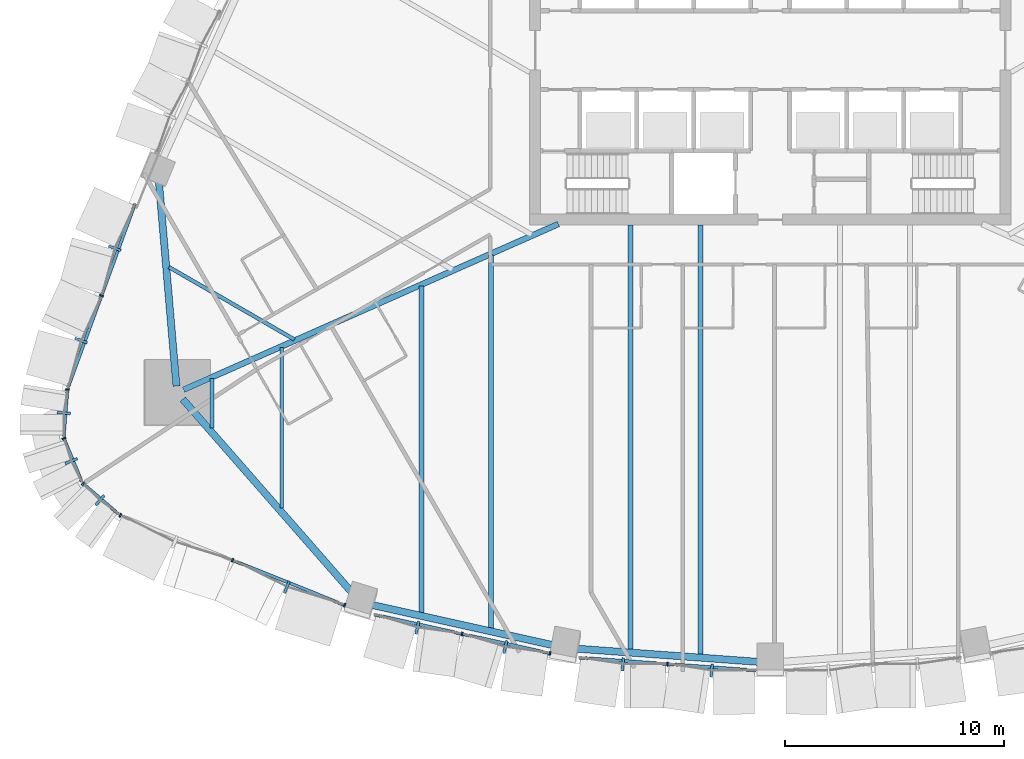
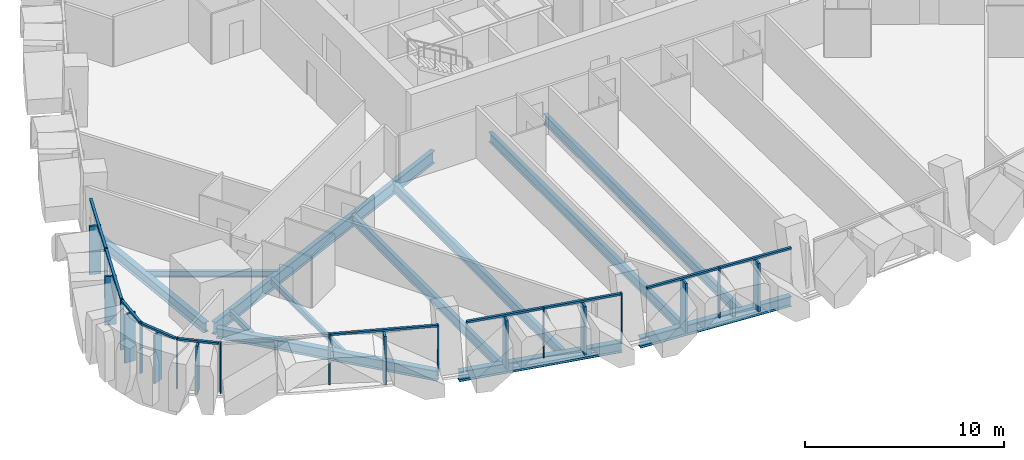
# One storey, part 2 of 23: 30 members, 12 beams, 7 elements without a shape of their own.
"""IFC4 building model written with IfcOpenShell, lengths in metres."""

from ifc_helpers import new_model, si_unit, direction, frame, origin, origin_2d, place, context, subcontext, project, spatial, rectangle, i_section, extrude, material, layer, layer_set, material_profile, profile_set, type_object, element, aggregate, save


model = new_model("IFC4")

# Units and contexts
model_context = context("Model", 3, precision=1e-05, world=origin(), true_north=direction((0.0, 1.0)))
body_context = subcontext(model_context, "Body", "Model", "MODEL_VIEW")
ifc_project = project(units=[si_unit("LENGTHUNIT", "METRE"), si_unit("AREAUNIT", "SQUARE_METRE"), si_unit("VOLUMEUNIT", "CUBIC_METRE"), si_unit("PLANEANGLEUNIT", "RADIAN"), si_unit("MASSUNIT", "GRAM", prefix="KILO")], contexts=[model_context])

# Site, building, storey
site_placement = place(None, origin())
site = spatial("IfcSite", under=ifc_project, at=site_placement, CompositionType="ELEMENT")
building_placement = place(site_placement, origin())
building = spatial("IfcBuilding", under=site, at=building_placement, Name="Sierra Prisma Convention Tower", CompositionType="ELEMENT")
storey_placement = place(building_placement, frame((0.0, 0.0, 51.699951171875)))
storey = spatial("IfcBuildingStorey", under=building, at=storey_placement, Name="L08", CompositionType="ELEMENT", Elevation=51.699951171875)

# Curtain wall, member
ifc_material_1 = material(Name="Aluminium and glass curtain wall", Category="aluminium")
ifc_layer = layer(ifc_material_1, 0.179931640625)
ifc_layer_set = layer_set([ifc_layer], Name="CW-2 Faceted crystal curtain wall")
curtain_wall_type = type_object("IfcCurtainWallType", Name="CW-2 Faceted crystal curtain wall", PredefinedType="NOTDEFINED", material=ifc_layer_set)
curtain_wall_1_placement = place(storey_placement, origin())
curtain_wall_1 = element("IfcCurtainWall", 1, at=curtain_wall_1_placement, inside=storey, type_object=curtain_wall_type, Name="CW-2 S1 L08", PredefinedType="NOTDEFINED")
ifc_material_2 = material(Name="Aluminium 6063-T6 bronze anodised", Category="aluminium")
ifc_material_profile_1 = material_profile(ifc_material_2, rectangle(XDim=0.1201171875, YDim=0.60009765625, at=origin_2d()), Name="ALU RIDGE BLADE 120x600")
ifc_profile_set_1 = profile_set([ifc_material_profile_1], Name="Aluminium 6063-T6 bronze anodised")
member_type_1 = type_object("IfcMemberType", Name="CW hip bronze", PredefinedType="MULLION", material=ifc_profile_set_1)
member_1_placement = place(storey_placement, frame((-22.10546875, -24.55419921875, 0.0), z_axis=(0.0, 0.0, 1.0), x_axis=(0.928218469403, -0.372035580367, 0.0)))
member_1 = element("IfcMember", 2, at=member_1_placement, type_object=member_type_1, Name="CW-2 ridge S1.2", PredefinedType="MULLION", context=body_context, shape_type="SweptSolid", body=[
    extrude(rectangle(XDim=0.1201171875, YDim=0.60009765625, at=origin_2d()), origin(), (0.0, 0.0, 1.0), 2.97998046875),
])

# Curtain wall, members
curtain_wall_2_placement = place(storey_placement, origin())
curtain_wall_2 = element("IfcCurtainWall", 3, at=curtain_wall_2_placement, inside=storey, type_object=curtain_wall_type, Name="CW-2 S2 L08", PredefinedType="NOTDEFINED")
member_2_placement = place(storey_placement, frame((-16.13427734375, -26.41162109375, 0.0), z_axis=(0.0, 0.0, 1.0), x_axis=(0.976517484103, -0.215438165701, 0.0)))
member_2 = element("IfcMember", 4, at=member_2_placement, type_object=member_type_1, Name="CW-2 ridge S2.1", PredefinedType="MULLION", context=body_context, shape_type="SweptSolid", body=[
    extrude(rectangle(XDim=0.1201171875, YDim=0.60009765625, at=origin_2d()), origin(), (0.0, 0.0, 1.0), 2.97998046875),
])
member_3_placement = place(storey_placement, frame((-12.114013671875, -27.298583984375, 0.0), z_axis=(0.0, 0.0, 1.0), x_axis=(0.976517484103, -0.215438165701, 0.0)))
member_3 = element("IfcMember", 5, at=member_3_placement, type_object=member_type_1, Name="CW-2 ridge S2.2", PredefinedType="MULLION", context=body_context, shape_type="SweptSolid", body=[
    extrude(rectangle(XDim=0.1201171875, YDim=0.60009765625, at=origin_2d()), origin(), (0.0, 0.0, 1.0), 2.97998046875),
])

curtain_wall_3_placement = place(storey_placement, origin())
curtain_wall_3 = element("IfcCurtainWall", 6, at=curtain_wall_3_placement, inside=storey, type_object=curtain_wall_type, Name="CW-2 S3 L08", PredefinedType="NOTDEFINED")
member_4_placement = place(storey_placement, frame((-6.733642578125, -28.08642578125, 0.0), z_axis=(0.0, 0.0, 1.0), x_axis=(0.997411104525, -0.071910281389, 0.0)))
member_4 = element("IfcMember", 7, at=member_4_placement, type_object=member_type_1, Name="CW-2 ridge S3.1", PredefinedType="MULLION", context=body_context, shape_type="SweptSolid", body=[
    extrude(rectangle(XDim=0.1201171875, YDim=0.60009765625, at=origin_2d()), origin(), (0.0, 0.0, 1.0), 2.97998046875),
])
member_5_placement = place(storey_placement, frame((-2.67431640625, -28.37890625, 0.0), z_axis=(0.0, 0.0, 1.0), x_axis=(0.997411104525, -0.071910281389, 0.0)))
member_5 = element("IfcMember", 8, at=member_5_placement, type_object=member_type_1, Name="CW-2 ridge S3.2", PredefinedType="MULLION", context=body_context, shape_type="SweptSolid", body=[
    extrude(rectangle(XDim=0.1201171875, YDim=0.60009765625, at=origin_2d()), origin(), (0.0, 0.0, 1.0), 2.97998046875),
])

curtain_wall_4_placement = place(storey_placement, origin())
curtain_wall_4 = element("IfcCurtainWall", 9, at=curtain_wall_4_placement, inside=storey, type_object=curtain_wall_type, Name="CW-2 NW6 L08", PredefinedType="NOTDEFINED")
member_6_placement = place(storey_placement, frame((-29.976806640625, -9.059326171875, 0.0), z_axis=(0.0, 0.0, 1.0), x_axis=(-0.342675826115, -0.939453712642, 0.0)))
member_6 = element("IfcMember", 10, at=member_6_placement, type_object=member_type_1, Name="CW-2 ridge NW6.1", PredefinedType="MULLION", context=body_context, shape_type="SweptSolid", body=[
    extrude(rectangle(XDim=0.1201171875, YDim=0.60009765625, at=origin_2d()), origin(), (0.0, 0.0, 1.0), 2.97998046875),
])
member_7_placement = place(storey_placement, frame((-31.516357421875, -13.280029296875, 0.0), z_axis=(0.0, 0.0, 1.0), x_axis=(-0.342675826115, -0.939453712642, 0.0)))
member_7 = element("IfcMember", 11, at=member_7_placement, type_object=member_type_1, Name="CW-2 ridge NW6.2", PredefinedType="MULLION", context=body_context, shape_type="SweptSolid", body=[
    extrude(rectangle(XDim=0.1201171875, YDim=0.60009765625, at=origin_2d()), origin(), (0.0, 0.0, 1.0), 2.97998046875),
])

# Curtain wall, member
curtain_wall_5_placement = place(storey_placement, origin())
curtain_wall_5 = element("IfcCurtainWall", 12, at=curtain_wall_5_placement, inside=storey, type_object=curtain_wall_type, Name="CW-2 SW1 L08", PredefinedType="NOTDEFINED")
member_8_placement = place(storey_placement, frame((-32.30712890625, -16.595703125, 0.0), z_axis=(0.0, 0.0, 1.0), x_axis=(-0.080124646762, -0.996784851902, 0.0)))
member_8 = element("IfcMember", 13, at=member_8_placement, type_object=member_type_1, Name="CW-2 ridge SW1.1", PredefinedType="MULLION", context=body_context, shape_type="SweptSolid", body=[
    extrude(rectangle(XDim=0.1201171875, YDim=0.60009765625, at=origin_2d()), origin(), (0.0, 0.0, 1.0), 2.97998046875),
])

curtain_wall_6_placement = place(storey_placement, origin())
curtain_wall_6 = element("IfcCurtainWall", 14, at=curtain_wall_6_placement, inside=storey, type_object=curtain_wall_type, Name="CW-2 SW2 L08", PredefinedType="NOTDEFINED")
member_9_placement = place(storey_placement, frame((-31.962890625, -18.79150390625, 0.0), z_axis=(0.0, 0.0, 1.0), x_axis=(0.381451296407, -0.924388937877, 0.0)))
member_9 = element("IfcMember", 15, at=member_9_placement, type_object=member_type_1, Name="CW-2 ridge SW2.1", PredefinedType="MULLION", context=body_context, shape_type="SweptSolid", body=[
    extrude(rectangle(XDim=0.1201171875, YDim=0.60009765625, at=origin_2d()), origin(), (0.0, 0.0, 1.0), 2.97998046875),
])

curtain_wall_7_placement = place(storey_placement, origin())
curtain_wall_7 = element("IfcCurtainWall", 16, at=curtain_wall_7_placement, inside=storey, type_object=curtain_wall_type, Name="CW-2 SW3 L08", PredefinedType="NOTDEFINED")
member_10_placement = place(storey_placement, frame((-30.658447265625, -20.591064453125, 0.0), z_axis=(0.0, 0.0, 1.0), x_axis=(0.759758893497, -0.650204909049, 0.0)))
member_10 = element("IfcMember", 17, at=member_10_placement, type_object=member_type_1, Name="CW-2 ridge SW3.1", PredefinedType="MULLION", context=body_context, shape_type="SweptSolid", body=[
    extrude(rectangle(XDim=0.1201171875, YDim=0.60009765625, at=origin_2d()), origin(), (0.0, 0.0, 1.0), 2.97998046875),
])

# Member
ifc_material_3 = material(Name="Aluminium 6063-T6 bronze anodised", Category="aluminium")
ifc_material_profile_2 = material_profile(ifc_material_3, rectangle(XDim=0.179931640625, YDim=0.070068359375, at=origin_2d()), Name="ALU MULLION 70x180")
ifc_profile_set_2 = profile_set([ifc_material_profile_2], Name="Aluminium 6063-T6 bronze anodised")
member_type_2 = type_object("IfcMemberType", Name="CW mullion bronze", PredefinedType="MULLION", material=ifc_profile_set_2)
member_11_placement = place(storey_placement, frame((-29.718994140625, -21.271240234375, 0.0), z_axis=(0.0, 0.0, 1.0), x_axis=(0.372035580367, 0.928218469403, 0.0)))
member_11 = element("IfcMember", 18, at=member_11_placement, type_object=member_type_2, Name="CW-1 mullion S1.1", PredefinedType="MULLION", context=body_context, shape_type="SweptSolid", body=[
    extrude(rectangle(XDim=0.179931640625, YDim=0.070068359375, at=origin_2d()), origin(), (0.0, 0.0, 1.0), 3.10009765625),
])

member_12_placement = place(storey_placement, frame((-24.590087890625, -23.3271484375, 0.0), z_axis=(0.0, 0.0, 1.0), x_axis=(0.372035580367, 0.928218469403, 0.0)))
member_12 = element("IfcMember", 19, at=member_12_placement, type_object=member_type_2, Name="CW-1 mullion S1.2", PredefinedType="MULLION", context=body_context, shape_type="SweptSolid", body=[
    extrude(rectangle(XDim=0.179931640625, YDim=0.070068359375, at=origin_2d()), origin(), (0.0, 0.0, 1.0), 3.10009765625),
])

member_13_placement = place(storey_placement, frame((-19.461181640625, -25.3828125, 0.0), z_axis=(0.0, 0.0, 1.0), x_axis=(0.372035580367, 0.928218469403, 0.0)))
member_13 = element("IfcMember", 20, at=member_13_placement, type_object=member_type_2, Name="CW-1 mullion S1.3", PredefinedType="MULLION", context=body_context, shape_type="SweptSolid", body=[
    extrude(rectangle(XDim=0.179931640625, YDim=0.070068359375, at=origin_2d()), origin(), (0.0, 0.0, 1.0), 3.10009765625),
])

member_14_placement = place(storey_placement, frame((-14.08984375, -26.699462890625, 0.0), z_axis=(0.0, 0.0, 1.0), x_axis=(0.215438165701, 0.976517484103, 0.0)))
member_14 = element("IfcMember", 21, at=member_14_placement, type_object=member_type_2, Name="CW-1 mullion S2.2", PredefinedType="MULLION", context=body_context, shape_type="SweptSolid", body=[
    extrude(rectangle(XDim=0.179931640625, YDim=0.070068359375, at=origin_2d()), origin(), (0.0, 0.0, 1.0), 3.10009765625),
])

member_15_placement = place(storey_placement, frame((-10.069580078125, -27.58642578125, 0.0), z_axis=(0.0, 0.0, 1.0), x_axis=(0.215438165701, 0.976517484103, 0.0)))
member_15 = element("IfcMember", 22, at=member_15_placement, type_object=member_type_2, Name="CW-1 mullion S2.3", PredefinedType="MULLION", context=body_context, shape_type="SweptSolid", body=[
    extrude(rectangle(XDim=0.179931640625, YDim=0.070068359375, at=origin_2d()), origin(), (0.0, 0.0, 1.0), 3.10009765625),
])

member_16_placement = place(storey_placement, frame((-4.692626953125, -28.07568359375, 0.0), z_axis=(0.0, 0.0, 1.0), x_axis=(0.071910281389, 0.997411104525, 0.0)))
member_16 = element("IfcMember", 23, at=member_16_placement, type_object=member_type_2, Name="CW-1 mullion S3.2", PredefinedType="MULLION", context=body_context, shape_type="SweptSolid", body=[
    extrude(rectangle(XDim=0.179931640625, YDim=0.070068359375, at=origin_2d()), origin(), (0.0, 0.0, 1.0), 3.10009765625),
])

member_17_placement = place(storey_placement, frame((-30.5830078125, -11.2294921875, 0.0), z_axis=(0.0, 0.0, 1.0), x_axis=(0.939453712642, -0.342675826115, 0.0)))
member_17 = element("IfcMember", 24, at=member_17_placement, type_object=member_type_2, Name="CW-1 mullion NW6.2", PredefinedType="MULLION", context=body_context, shape_type="SweptSolid", body=[
    extrude(rectangle(XDim=0.179931640625, YDim=0.070068359375, at=origin_2d()), origin(), (0.0, 0.0, 1.0), 3.10009765625),
])

member_18_placement = place(storey_placement, frame((-32.137451171875, -15.517822265625, 0.0), z_axis=(0.0, 0.0, 1.0), x_axis=(0.996784851902, -0.080124646762, 0.0)))
member_18 = element("IfcMember", 25, at=member_18_placement, type_object=member_type_2, Name="CW-1 mullion SW1.1", PredefinedType="MULLION", context=body_context, shape_type="SweptSolid", body=[
    extrude(rectangle(XDim=0.179931640625, YDim=0.070068359375, at=origin_2d()), origin(), (0.0, 0.0, 1.0), 3.10009765625),
])

member_19_placement = place(storey_placement, frame((-32.30126953125, -17.754150390625, 0.0), z_axis=(0.0, 0.0, 1.0), x_axis=(0.924388937877, 0.381451296407, 0.0)))
member_19 = element("IfcMember", 26, at=member_19_placement, type_object=member_type_2, Name="CW-1 mullion SW2.1", PredefinedType="MULLION", context=body_context, shape_type="SweptSolid", body=[
    extrude(rectangle(XDim=0.179931640625, YDim=0.070068359375, at=origin_2d()), origin(), (0.0, 0.0, 1.0), 3.10009765625),
])

member_20_placement = place(storey_placement, frame((-31.431396484375, -19.82080078125, 0.0), z_axis=(0.0, 0.0, 1.0), x_axis=(0.650204909049, 0.759758893497, 0.0)))
member_20 = element("IfcMember", 27, at=member_20_placement, type_object=member_type_2, Name="CW-1 mullion SW3.1", PredefinedType="MULLION", context=body_context, shape_type="SweptSolid", body=[
    extrude(rectangle(XDim=0.179931640625, YDim=0.070068359375, at=origin_2d()), origin(), (0.0, 0.0, 1.0), 3.10009765625),
])

ifc_material_4 = material(Name="Aluminium 6063-T6 bronze anodised", Category="aluminium")
ifc_material_profile_3 = material_profile(ifc_material_4, rectangle(XDim=0.139892578125, YDim=0.1201171875, at=origin_2d()), Name="ALU TRANSOM 120x140")
ifc_profile_set_3 = profile_set([ifc_material_profile_3], Name="Aluminium 6063-T6 bronze anodised")
member_type_3 = type_object("IfcMemberType", Name="CW transom bronze", PredefinedType="USERDEFINED", material=ifc_profile_set_3)
member_21_placement = place(storey_placement, frame((-24.5576171875, -23.340087890625, 3.0400390625), z_axis=(0.928226491865, -0.372015563922, 0.0), x_axis=(0.372015563922, 0.928226491865, 0.0)))
member_21 = element("IfcMember", 28, at=member_21_placement, type_object=member_type_3, Name="CW-1 transom S1.2", ObjectType="TRANSOM", PredefinedType="USERDEFINED", context=body_context, shape_type="SweptSolid", body=[
    extrude(rectangle(XDim=0.139892578125, YDim=0.1201171875, at=origin_2d()), origin(), (0.0, 0.0, 1.0), 5.45556640625),
])

aggregate(curtain_wall_1, [member_11, member_12, member_13, member_21, member_1])

member_22_placement = place(storey_placement, frame((-18.075927734375, -25.820068359375, 3.0400390625), z_axis=(0.976519481055, -0.215429113909, 0.0), x_axis=(0.215429113909, 0.976519481055, 0.0)))
member_22 = element("IfcMember", 29, at=member_22_placement, type_object=member_type_3, Name="CW-1 transom S2.1", ObjectType="TRANSOM", PredefinedType="USERDEFINED", context=body_context, shape_type="SweptSolid", body=[
    extrude(rectangle(XDim=0.139892578125, YDim=0.1201171875, at=origin_2d()), origin(), (0.0, 0.0, 1.0), 4.046875),
])

member_23_placement = place(storey_placement, frame((-14.0556640625, -26.70703125, 3.0400390625), z_axis=(0.976519481055, -0.215429113909, 0.0), x_axis=(0.215429113909, 0.976519481055, 0.0)))
member_23 = element("IfcMember", 30, at=member_23_placement, type_object=member_type_3, Name="CW-1 transom S2.2", ObjectType="TRANSOM", PredefinedType="USERDEFINED", context=body_context, shape_type="SweptSolid", body=[
    extrude(rectangle(XDim=0.139892578125, YDim=0.1201171875, at=origin_2d()), origin(), (0.0, 0.0, 1.0), 4.046875),
])

aggregate(curtain_wall_2, [member_14, member_15, member_22, member_2, member_23, member_3])

member_24_placement = place(storey_placement, frame((-8.717041015625, -27.78564453125, 3.0400390625), z_axis=(0.997411699787, -0.0719020245, 0.0), x_axis=(0.0719020245, 0.997411699787, 0.0)))
member_24 = element("IfcMember", 31, at=member_24_placement, type_object=member_type_3, Name="CW-1 transom S3.1", ObjectType="TRANSOM", PredefinedType="USERDEFINED", context=body_context, shape_type="SweptSolid", body=[
    extrude(rectangle(XDim=0.139892578125, YDim=0.1201171875, at=origin_2d()), origin(), (0.0, 0.0, 1.0), 3.999755859375),
])

member_25_placement = place(storey_placement, frame((-4.65771484375, -28.078125, 3.0400390625), z_axis=(0.997411699787, -0.0719020245, 0.0), x_axis=(0.0719020245, 0.997411699787, 0.0)))
member_25 = element("IfcMember", 32, at=member_25_placement, type_object=member_type_3, Name="CW-1 transom S3.2", ObjectType="TRANSOM", PredefinedType="USERDEFINED", context=body_context, shape_type="SweptSolid", body=[
    extrude(rectangle(XDim=0.139892578125, YDim=0.1201171875, at=origin_2d()), origin(), (0.0, 0.0, 1.0), 3.999755859375),
])

aggregate(curtain_wall_3, [member_16, member_24, member_4, member_25, member_5])

member_26_placement = place(storey_placement, frame((-29.055419921875, -7.04150390625, 3.0400390625), z_axis=(-0.342682503518, -0.939451276961, 0.0), x_axis=(0.939451276961, -0.342682503518, 0.0)))
member_26 = element("IfcMember", 33, at=member_26_placement, type_object=member_type_3, Name="CW-1 transom NW6.1", ObjectType="TRANSOM", PredefinedType="USERDEFINED", context=body_context, shape_type="SweptSolid", body=[
    extrude(rectangle(XDim=0.139892578125, YDim=0.1201171875, at=origin_2d()), origin(), (0.0, 0.0, 1.0), 4.4228515625),
])

member_27_placement = place(storey_placement, frame((-30.59521484375, -11.26220703125, 3.0400390625), z_axis=(-0.342633784215, -0.93946904681, 0.0), x_axis=(0.93946904681, -0.342633784215, 0.0)))
member_27 = element("IfcMember", 34, at=member_27_placement, type_object=member_type_3, Name="CW-1 transom NW6.2", ObjectType="TRANSOM", PredefinedType="USERDEFINED", context=body_context, shape_type="SweptSolid", body=[
    extrude(rectangle(XDim=0.139892578125, YDim=0.1201171875, at=origin_2d()), origin(), (0.0, 0.0, 1.0), 4.4228515625),
])

aggregate(curtain_wall_4, [member_17, member_26, member_6, member_27, member_7])

member_28_placement = place(storey_placement, frame((-32.140380859375, -15.552734375, 3.0400390625), z_axis=(-0.080099977058, -0.996786834622, 0.0), x_axis=(0.996786834622, -0.080099977058, 0.0)))
member_28 = element("IfcMember", 35, at=member_28_placement, type_object=member_type_3, Name="CW-1 transom SW1.1", ObjectType="TRANSOM", PredefinedType="USERDEFINED", context=body_context, shape_type="SweptSolid", body=[
    extrude(rectangle(XDim=0.139892578125, YDim=0.1201171875, at=origin_2d()), origin(), (0.0, 0.0, 1.0), 2.106201171875),
])

aggregate(curtain_wall_5, [member_18, member_28, member_8])

member_29_placement = place(storey_placement, frame((-32.287841796875, -17.786376953125, 3.0400390625), z_axis=(0.381402747866, -0.924408970056, 0.0), x_axis=(0.924408970056, 0.381402747866, 0.0)))
member_29 = element("IfcMember", 36, at=member_29_placement, type_object=member_type_3, Name="CW-1 transom SW2.1", ObjectType="TRANSOM", PredefinedType="USERDEFINED", context=body_context, shape_type="SweptSolid", body=[
    extrude(rectangle(XDim=0.139892578125, YDim=0.1201171875, at=origin_2d()), origin(), (0.0, 0.0, 1.0), 2.10595703125),
])

aggregate(curtain_wall_6, [member_19, member_29, member_9])

member_30_placement = place(storey_placement, frame((-31.40478515625, -19.843505859375, 3.0400390625), z_axis=(0.759755527336, -0.65020884236, 0.0), x_axis=(0.65020884236, 0.759755527336, 0.0)))
member_30 = element("IfcMember", 37, at=member_30_placement, type_object=member_type_3, Name="CW-1 transom SW3.1", ObjectType="TRANSOM", PredefinedType="USERDEFINED", context=body_context, shape_type="SweptSolid", body=[
    extrude(rectangle(XDim=0.139892578125, YDim=0.1201171875, at=origin_2d()), origin(), (0.0, 0.0, 1.0), 2.10595703125),
])

aggregate(curtain_wall_7, [member_20, member_30, member_10])

# Beams
ifc_material_5 = material(Name="Steel ASTM A992 Gr 50", Category="steel")
ifc_material_profile_4 = material_profile(ifc_material_5, i_section(OverallWidth=0.172119140625, OverallDepth=0.35791015625, WebThickness=0.0078125, FlangeThickness=0.01318359375, at=origin_2d()), Name="W360x57")
ifc_profile_set_4 = profile_set([ifc_material_profile_4], Name="Steel ASTM A992 Gr 50")
beam_type_1 = type_object("IfcBeamType", Name="Floor joist W360x57", PredefinedType="JOIST", material=ifc_profile_set_4)
beam_1_placement = place(storey_placement, frame((-25.53271484375, -17.2890625, -0.328857421875), z_axis=(0.0, 1.0, 0.0), x_axis=(-1.0, 0.0, 0.0)))
element("IfcBeam", 38, at=beam_1_placement, inside=storey, type_object=beam_type_1, Name="Floor joist L08 S01", PredefinedType="JOIST", context=body_context, shape_type="SweptSolid", body=[
    extrude(i_section(OverallWidth=0.172119140625, OverallDepth=0.35791015625, WebThickness=0.0078125, FlangeThickness=0.01318359375, at=origin_2d()), origin(), (0.0, 0.0, 1.0), 2.274169921875),
])
beam_2_placement = place(storey_placement, frame((-22.341064453125, -20.935546875, -0.328857421875), z_axis=(0.0, 1.0, 0.0), x_axis=(-1.0, 0.0, 0.0)))
element("IfcBeam", 39, at=beam_2_placement, inside=storey, type_object=beam_type_1, Name="Floor joist L08 S02", PredefinedType="JOIST", context=body_context, shape_type="SweptSolid", body=[
    extrude(i_section(OverallWidth=0.172119140625, OverallDepth=0.35791015625, WebThickness=0.0078125, FlangeThickness=0.01318359375, at=origin_2d()), origin(), (0.0, 0.0, 1.0), 7.331787109375),
])
beam_3_placement = place(storey_placement, frame((-27.499755859375, -9.92041015625, -0.328857421875), z_axis=(0.866032137748, -0.499988336251, 0.0), x_axis=(0.499988336251, 0.866032137748, 0.0)))
element("IfcBeam", 40, at=beam_3_placement, inside=storey, type_object=beam_type_1, Name="Floor joist L08 NW16", PredefinedType="JOIST", context=body_context, shape_type="SweptSolid", body=[
    extrude(i_section(OverallWidth=0.172119140625, OverallDepth=0.35791015625, WebThickness=0.0078125, FlangeThickness=0.01318359375, at=origin_2d()), origin(), (0.0, 0.0, 1.0), 6.623779296875),
])
ifc_material_6 = material(Name="Steel ASTM A992 Gr 50", Category="steel")
ifc_material_profile_5 = material_profile(ifc_material_6, i_section(OverallWidth=0.22802734375, OverallDepth=0.60302734375, WebThickness=0.010498046875, FlangeThickness=0.014892578125, at=origin_2d()), Name="W610x101")
ifc_profile_set_5 = profile_set([ifc_material_profile_5], Name="Steel ASTM A992 Gr 50")
beam_type_2 = type_object("IfcBeamType", Name="Floor joist W610x101", PredefinedType="JOIST", material=ifc_profile_set_5)
beam_4_placement = place(storey_placement, frame((-15.9580078125, -25.757080078125, -0.451416015625), z_axis=(0.0, 1.0, 0.0), x_axis=(-1.0, 0.0, 0.0)))
element("IfcBeam", 41, at=beam_4_placement, inside=storey, type_object=beam_type_2, Name="Floor joist L08 S04", PredefinedType="JOIST", context=body_context, shape_type="SweptSolid", body=[
    extrude(i_section(OverallWidth=0.22802734375, OverallDepth=0.60302734375, WebThickness=0.010498046875, FlangeThickness=0.014892578125, at=origin_2d()), origin(), (0.0, 0.0, 1.0), 14.97607421875),
])
beam_5_placement = place(storey_placement, frame((-12.766357421875, -26.4658203125, -0.451416015625), z_axis=(0.0, 1.0, 0.0), x_axis=(-1.0, 0.0, 0.0)))
element("IfcBeam", 42, at=beam_5_placement, inside=storey, type_object=beam_type_2, Name="Floor joist L08 S05", PredefinedType="JOIST", context=body_context, shape_type="SweptSolid", body=[
    extrude(i_section(OverallWidth=0.22802734375, OverallDepth=0.60302734375, WebThickness=0.010498046875, FlangeThickness=0.014892578125, at=origin_2d()), origin(), (0.0, 0.0, 1.0), 17.09619140625),
])
beam_6_placement = place(storey_placement, frame((-6.38330078125, -27.43798828125, -0.451416015625), z_axis=(0.0, 1.0, 0.0), x_axis=(-1.0, 0.0, 0.0)))
element("IfcBeam", 43, at=beam_6_placement, inside=storey, type_object=beam_type_2, Name="Floor joist L08 S07", PredefinedType="JOIST", context=body_context, shape_type="SweptSolid", body=[
    extrude(i_section(OverallWidth=0.22802734375, OverallDepth=0.60302734375, WebThickness=0.010498046875, FlangeThickness=0.014892578125, at=origin_2d()), origin(), (0.0, 0.0, 1.0), 19.43798828125),
])
beam_7_placement = place(storey_placement, frame((-3.191650390625, -27.66943359375, -0.451416015625), z_axis=(0.0, 1.0, 0.0), x_axis=(-1.0, 0.0, 0.0)))
element("IfcBeam", 44, at=beam_7_placement, inside=storey, type_object=beam_type_2, Name="Floor joist L08 S08", PredefinedType="JOIST", context=body_context, shape_type="SweptSolid", body=[
    extrude(i_section(OverallWidth=0.22802734375, OverallDepth=0.60302734375, WebThickness=0.010498046875, FlangeThickness=0.014892578125, at=origin_2d()), origin(), (0.0, 0.0, 1.0), 19.66943359375),
])
ifc_material_7 = material(Name="Steel ASTM A992 Gr 50", Category="steel")
ifc_material_profile_6 = material_profile(ifc_material_7, i_section(OverallWidth=0.264892578125, OverallDepth=0.7529296875, WebThickness=0.01318359375, FlangeThickness=0.01708984375, at=origin_2d()), Name="W760x147")
ifc_profile_set_6 = profile_set([ifc_material_profile_6], Name="Steel ASTM A992 Gr 50")
beam_type_3 = type_object("IfcBeamType", Name="Radial girder W760x147", PredefinedType="BEAM", material=ifc_profile_set_6)
beam_8_placement = place(storey_placement, frame((-26.82861328125, -15.530029296875, -0.5263671875), z_axis=(0.914571759217, 0.404423660588, 0.0), x_axis=(-0.404423660588, 0.914571759217, 0.0)))
element("IfcBeam", 45, at=beam_8_placement, inside=storey, type_object=beam_type_3, Name="Radial girder L08 SW", PredefinedType="BEAM", context=body_context, shape_type="SweptSolid", body=[
    extrude(i_section(OverallWidth=0.264892578125, OverallDepth=0.7529296875, WebThickness=0.01318359375, FlangeThickness=0.01708984375, at=origin_2d()), origin(), (0.0, 0.0, 1.0), 18.7392578125),
])
ifc_material_8 = material(Name="Steel ASTM A992 Gr 50", Category="steel")
ifc_material_profile_7 = material_profile(ifc_material_8, i_section(OverallWidth=0.324951171875, OverallDepth=0.615966796875, WebThickness=0.013916015625, FlangeThickness=0.021484375, at=origin_2d()), Name="W610x174")
ifc_profile_set_7 = profile_set([ifc_material_profile_7], Name="Steel ASTM A992 Gr 50")
beam_type_4 = type_object("IfcBeamType", Name="Spandrel beam W610x174", PredefinedType="BEAM", material=ifc_profile_set_7)
beam_9_placement = place(storey_placement, frame((-26.865966796875, -15.962646484375, -0.4580078125), z_axis=(0.65860744044, -0.752486703801, 0.0), x_axis=(0.752486703801, 0.65860744044, 0.0)))
element("IfcBeam", 46, at=beam_9_placement, inside=storey, type_object=beam_type_4, Name="Spandrel L08-01", PredefinedType="BEAM", context=body_context, shape_type="SweptSolid", body=[
    extrude(i_section(OverallWidth=0.324951171875, OverallDepth=0.615966796875, WebThickness=0.013916015625, FlangeThickness=0.021484375, at=origin_2d()), origin(), (0.0, 0.0, 1.0), 11.76513671875),
])
beam_10_placement = place(storey_placement, frame((-18.260009765625, -25.362548828125, -0.4580078125), z_axis=(0.97622307802, -0.216768313969, 0.0), x_axis=(0.216768313969, 0.97622307802, 0.0)))
element("IfcBeam", 47, at=beam_10_placement, inside=storey, type_object=beam_type_4, Name="Spandrel L08-02", PredefinedType="BEAM", context=body_context, shape_type="SweptSolid", body=[
    extrude(i_section(OverallWidth=0.324951171875, OverallDepth=0.615966796875, WebThickness=0.013916015625, FlangeThickness=0.021484375, at=origin_2d()), origin(), (0.0, 0.0, 1.0), 8.609130859375),
])
beam_11_placement = place(storey_placement, frame((-8.905029296875, -27.367919921875, -0.4580078125), z_axis=(0.99737766508, -0.072372599784, 0.0), x_axis=(0.072372599784, 0.99737766508, 0.0)))
element("IfcBeam", 48, at=beam_11_placement, inside=storey, type_object=beam_type_4, Name="Spandrel L08-03", PredefinedType="BEAM", context=body_context, shape_type="SweptSolid", body=[
    extrude(i_section(OverallWidth=0.324951171875, OverallDepth=0.615966796875, WebThickness=0.013916015625, FlangeThickness=0.021484375, at=origin_2d()), origin(), (0.0, 0.0, 1.0), 8.447021484375),
])
beam_12_placement = place(storey_placement, frame((-27.957275390625, -6.0126953125, -0.4580078125), z_axis=(0.085566427831, -0.996332467818, 0.0), x_axis=(0.996332467818, 0.085566427831, 0.0)))
element("IfcBeam", 49, at=beam_12_placement, inside=storey, type_object=beam_type_4, Name="Spandrel L08-18", PredefinedType="BEAM", context=body_context, shape_type="SweptSolid", body=[
    extrude(i_section(OverallWidth=0.324951171875, OverallDepth=0.615966796875, WebThickness=0.013916015625, FlangeThickness=0.021484375, at=origin_2d()), origin(), (0.0, 0.0, 1.0), 9.38427734375),
])

save(model, "model.ifc")
